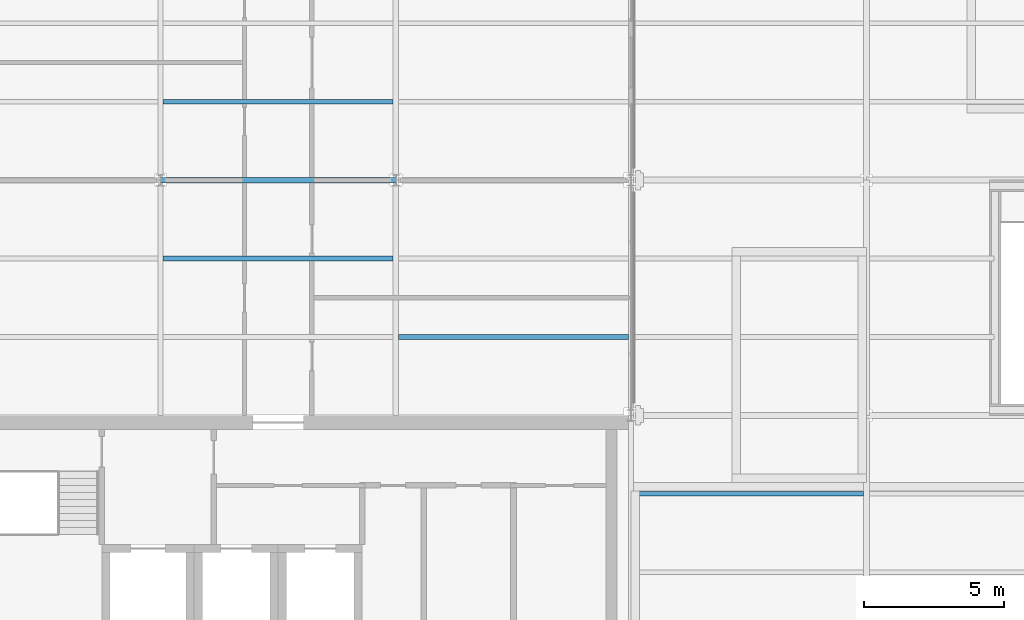
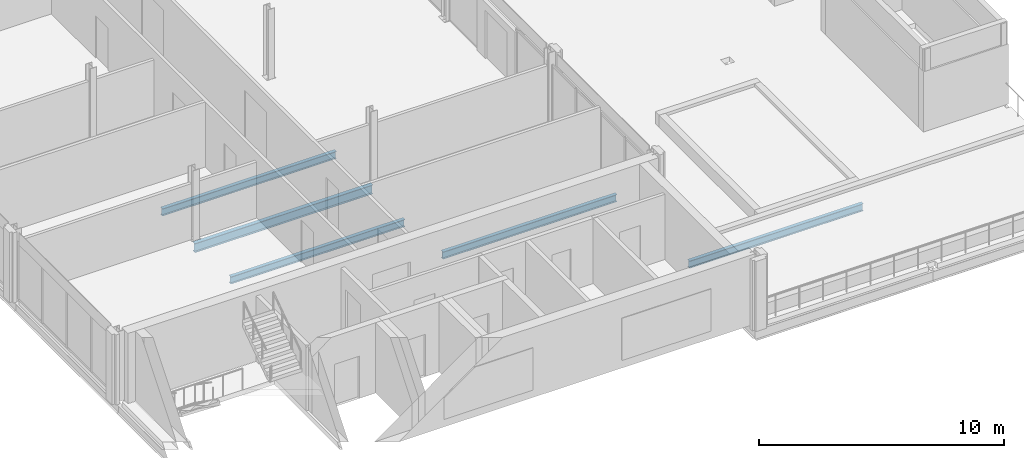
# One storey, part 7 of 32: 5 beams.
"""IFC4 building model written with IfcOpenShell, lengths in metres."""

from ifc_helpers import new_model, si_unit, direction, frame, origin, origin_2d, place, context, subcontext, project, spatial, i_section, extrude, material, material_profile, profile_set, type_object, element, save


model = new_model("IFC4")

# Units and contexts
model_context = context("Model", 3, precision=1e-05, world=origin(), true_north=direction((0.0, 1.0)))
body_context = subcontext(model_context, "Body", "Model", "MODEL_VIEW")
ifc_project = project(units=[si_unit("LENGTHUNIT", "METRE"), si_unit("AREAUNIT", "SQUARE_METRE"), si_unit("VOLUMEUNIT", "CUBIC_METRE"), si_unit("PLANEANGLEUNIT", "RADIAN"), si_unit("MASSUNIT", "GRAM", prefix="KILO")], contexts=[model_context])

# Site, building, storey
site_placement = place(None, origin())
site = spatial("IfcSite", under=ifc_project, at=site_placement, CompositionType="ELEMENT")
building_placement = place(site_placement, origin())
building = spatial("IfcBuilding", under=site, at=building_placement, Name="Catenary Quay Ferry Terminal", CompositionType="ELEMENT")
storey_placement = place(building_placement, frame((0.0, 0.0, 17.10009765625)))
storey = spatial("IfcBuildingStorey", under=building, at=storey_placement, Name="L03", CompositionType="ELEMENT", Elevation=17.10009765625)

# Beams
ifc_material_1 = material(Name="Steel S355", Category="steel")
ifc_material_profile_1 = material_profile(ifc_material_1, i_section(OverallWidth=0.18994140625, OverallDepth=0.453369140625, WebThickness=0.008544921875, FlangeThickness=0.0126953125, at=origin_2d()), Name="UB 457x191x67")
ifc_profile_set_1 = profile_set([ifc_material_profile_1], Name="Steel S355")
beam_type_1 = type_object("IfcBeamType", Name="B1 UB 457x191x67", PredefinedType="BEAM", material=ifc_profile_set_1)
beam_1_placement = place(storey_placement, frame((33.60009765625, 176.39990234375, -0.47705078125), z_axis=(1.0, 0.0, 0.0), x_axis=(0.0, 1.0, 0.0)))
element("IfcBeam", 1, at=beam_1_placement, inside=storey, type_object=beam_type_1, Name="Beam B1-002", PredefinedType="BEAM", context=body_context, shape_type="SweptSolid", body=[
    extrude(i_section(OverallWidth=0.18994140625, OverallDepth=0.453369140625, WebThickness=0.008544921875, FlangeThickness=0.0126953125, at=origin_2d()), origin(), (0.0, 0.0, 1.0), 8.39990234375),
])
ifc_material_2 = material(Name="Steel S355", Category="steel")
ifc_material_profile_2 = material_profile(ifc_material_2, i_section(OverallWidth=0.169921875, OverallDepth=0.360107421875, WebThickness=0.008056640625, FlangeThickness=0.0126953125, at=origin_2d()), Name="IPE 360")
ifc_profile_set_2 = profile_set([ifc_material_profile_2], Name="Steel S355")
beam_type_2 = type_object("IfcBeamType", Name="B7 IPE 360", PredefinedType="BEAM", material=ifc_profile_set_2)
beam_2_placement = place(storey_placement, frame((50.4951171875, 165.199951171875, -0.43017578125), z_axis=(1.0, 0.0, 0.0), x_axis=(0.0, 1.0, 0.0)))
element("IfcBeam", 2, at=beam_2_placement, inside=storey, type_object=beam_type_2, Name="Beam B7-003", PredefinedType="BEAM", context=body_context, shape_type="SweptSolid", body=[
    extrude(i_section(OverallWidth=0.169921875, OverallDepth=0.360107421875, WebThickness=0.008056640625, FlangeThickness=0.0126953125, at=origin_2d()), origin(), (0.0, 0.0, 1.0), 8.200927734375),
])
for number, where, z_axis, x_axis, name in (
    (3, (42.094970703125, 170.800048828125, -0.43017578125), (1.0, 0.0, 0.0), (0.0, 1.0, 0.0), "Beam B7-027"),
    (4, (33.695068359375, 173.60009765625, -0.43017578125), (1.0, 0.0, 0.0), (0.0, 1.0, 0.0), "Beam B7-029"),
    (5, (33.695068359375, 179.199951171875, -0.43017578125), (1.0, 0.0, 0.0), (0.0, 1.0, 0.0), "Beam B7-032"),
):
    element("IfcBeam", number, at=place(storey_placement, frame(where, z_axis=z_axis, x_axis=x_axis)), inside=storey, type_object=beam_type_2, Name=name, PredefinedType="BEAM", context=body_context, shape_type="SweptSolid", body=[
        extrude(i_section(OverallWidth=0.169921875, OverallDepth=0.360107421875, WebThickness=0.008056640625, FlangeThickness=0.0126953125, at=origin_2d()), origin(), (0.0, 0.0, 1.0), 8.2099609375),
    ])

save(model, "model.ifc")
